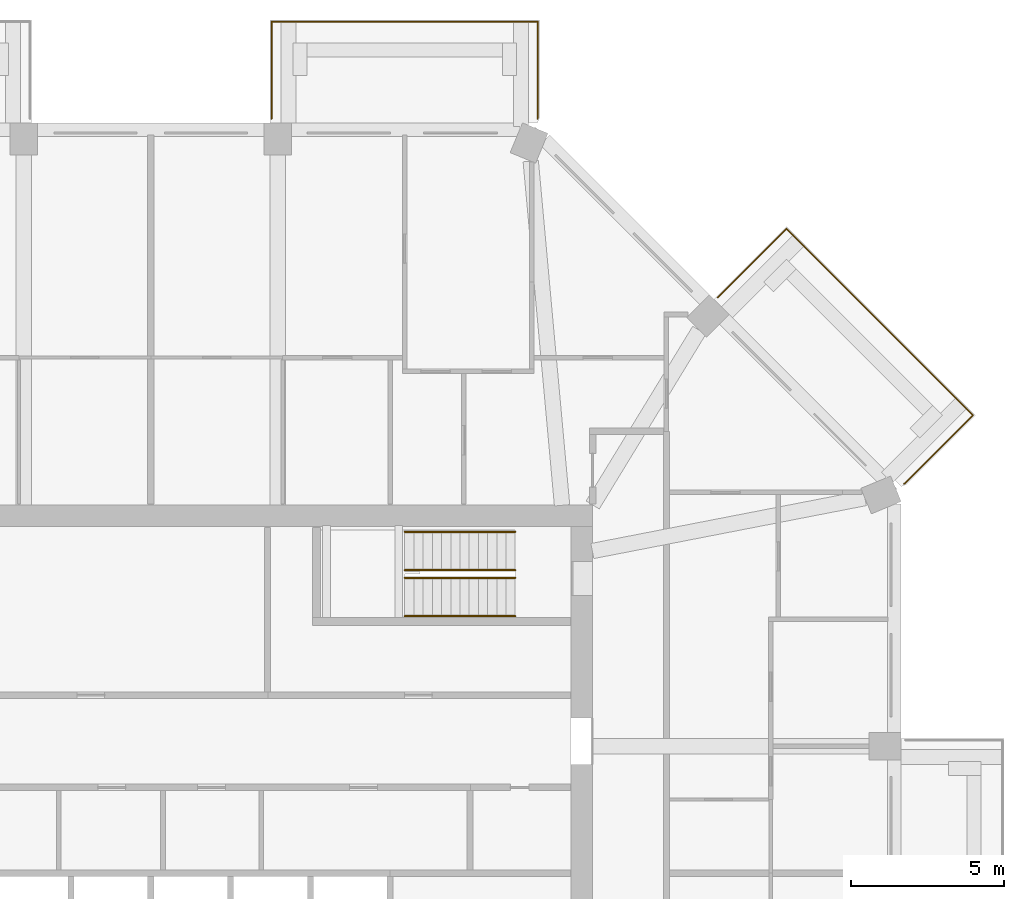
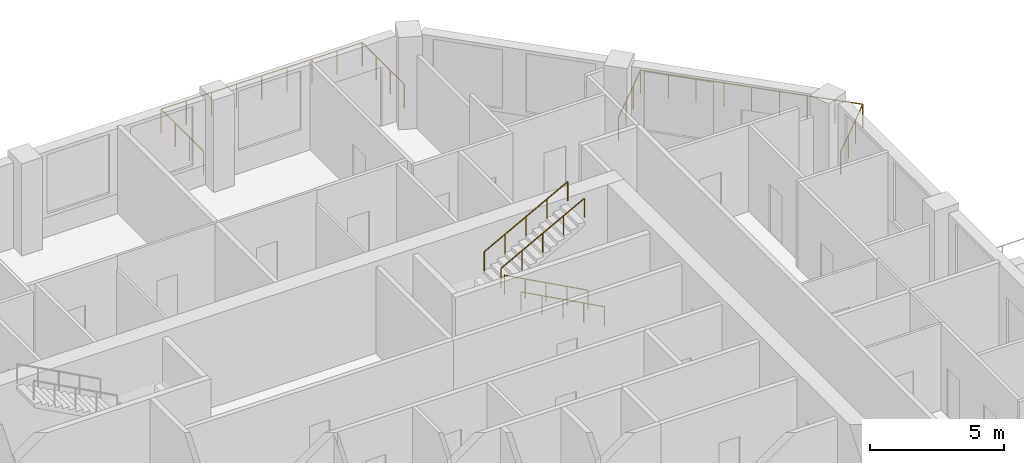
# One storey, part 12 of 12: 6 railings.
"""IFC4 building model written with IfcOpenShell, lengths in metres."""

from ifc_helpers import new_model, si_unit, direction, frame, origin, origin_2d, place, context, subcontext, project, spatial, circle, extrude, material, constituent, constituent_set, type_object, element, save


model = new_model("IFC4")

# Units and contexts
model_context = context("Model", 3, precision=1e-05, world=origin(), true_north=direction((0.0, 1.0)))
body_context = subcontext(model_context, "Body", "Model", "MODEL_VIEW")
ifc_project = project(units=[si_unit("LENGTHUNIT", "METRE"), si_unit("AREAUNIT", "SQUARE_METRE"), si_unit("VOLUMEUNIT", "CUBIC_METRE"), si_unit("PLANEANGLEUNIT", "RADIAN"), si_unit("MASSUNIT", "GRAM", prefix="KILO")], contexts=[model_context])

# Site, building, storey
site_placement = place(None, origin())
site = spatial("IfcSite", under=ifc_project, at=site_placement, CompositionType="ELEMENT")
building_placement = place(site_placement, origin())
building = spatial("IfcBuilding", under=site, at=building_placement, Name="Msitu Wima Residences", CompositionType="ELEMENT")
storey_placement = place(building_placement, frame((0.0, 0.0, 179.10009765625)))
storey = spatial("IfcBuildingStorey", under=building, at=storey_placement, Name="L41", CompositionType="ELEMENT", Elevation=179.10009765625)

# Railings
ifc_material_1 = material(Name="Steel S355", Category="steel")
ifc_constituent_1 = constituent(ifc_material_1, Name="Steel S355")
ifc_material_2 = material(Name="Weathering patina")
ifc_constituent_2 = constituent(ifc_material_2, Name="Weathering patina")
ifc_constituent_set_1 = constituent_set(constituents=[ifc_constituent_1, ifc_constituent_2], Name="Steel S355")
railing_type_1 = type_object("IfcRailingType", Name="Balcony guard GR1100", PredefinedType="GUARDRAIL", material=ifc_constituent_set_1)
railing_1_placement = place(storey_placement, frame((18.474609375, 18.75732421875, 0.0)))
element("IfcRailing", 1, at=railing_1_placement, inside=storey, type_object=railing_type_1, Name="Balcony guard NE0 L41", PredefinedType="GUARDRAIL", context=body_context, shape_type="SweptSolid", body=[
    extrude(circle(Radius=0.02392578125, at=origin_2d()), frame((0.0, 0.0, 1.076171875), z_axis=(0.707068272989, 0.707145287287, 0.0), x_axis=(-0.707145287287, 0.707068272989, 0.0)), (0.0, 0.0, 1.0), 3.170166015625),
    extrude(circle(Radius=0.02392578125, at=origin_2d()), frame((2.241455078125, 2.24169921875, 1.076171875), z_axis=(0.707106781187, -0.707106781187, 0.0), x_axis=(0.707106781187, 0.707106781187, 0.0)), (0.0, 0.0, 1.0), 8.593994140625),
    extrude(circle(Radius=0.02392578125, at=origin_2d()), frame((8.318359375, -3.835205078125, 1.076171875), z_axis=(-0.707067861805, -0.707145698426, 0.0), x_axis=(0.707145698426, -0.707067861805, 0.0)), (0.0, 0.0, 1.0), 3.136474609375),
    extrude(circle(Radius=0.02392578125, at=origin_2d()), frame((6.1005859375, -6.05322265625, 1.076171875), z_axis=(-0.923276184907, -0.384136806859, 0.0), x_axis=(0.384136806859, -0.923276184907, 0.0)), (0.0, 0.0, 1.0), 0.0361328125),
    extrude(circle(Radius=0.02099609375, at=origin_2d()), origin(), (0.0, 0.0, 1.0), 1.052001953125),
    extrude(circle(Radius=0.02099609375, at=origin_2d()), frame((0.7470703125, 0.747314453125, 0.0)), (0.0, 0.0, 1.0), 1.052001953125),
    extrude(circle(Radius=0.02099609375, at=origin_2d()), frame((1.494384765625, 1.494384765625, 0.0)), (0.0, 0.0, 1.0), 1.052001953125),
    extrude(circle(Radius=0.02099609375, at=origin_2d()), frame((2.241455078125, 2.24169921875, 0.0)), (0.0, 0.0, 1.0), 1.052001953125),
    extrude(circle(Radius=0.02099609375, at=origin_2d()), frame((3.0009765625, 1.482177734375, 0.0)), (0.0, 0.0, 1.0), 1.052001953125),
    extrude(circle(Radius=0.02099609375, at=origin_2d()), frame((3.7607421875, 0.722412109375, 0.0)), (0.0, 0.0, 1.0), 1.052001953125),
    extrude(circle(Radius=0.02099609375, at=origin_2d()), frame((4.520263671875, -0.037109375, 0.0)), (0.0, 0.0, 1.0), 1.052001953125),
    extrude(circle(Radius=0.02099609375, at=origin_2d()), frame((5.27978515625, -0.796875, 0.0)), (0.0, 0.0, 1.0), 1.052001953125),
    extrude(circle(Radius=0.02099609375, at=origin_2d()), frame((6.03955078125, -1.556396484375, 0.0)), (0.0, 0.0, 1.0), 1.052001953125),
    extrude(circle(Radius=0.02099609375, at=origin_2d()), frame((6.799072265625, -2.31591796875, 0.0)), (0.0, 0.0, 1.0), 1.052001953125),
    extrude(circle(Radius=0.02099609375, at=origin_2d()), frame((7.558837890625, -3.07568359375, 0.0)), (0.0, 0.0, 1.0), 1.052001953125),
    extrude(circle(Radius=0.02099609375, at=origin_2d()), frame((8.318359375, -3.835205078125, 0.0)), (0.0, 0.0, 1.0), 1.052001953125),
    extrude(circle(Radius=0.02099609375, at=origin_2d()), frame((7.5791015625, -4.574462890625, 0.0)), (0.0, 0.0, 1.0), 1.052001953125),
    extrude(circle(Radius=0.02099609375, at=origin_2d()), frame((6.83984375, -5.31396484375, 0.0)), (0.0, 0.0, 1.0), 1.052001953125),
    extrude(circle(Radius=0.02099609375, at=origin_2d()), frame((6.1005859375, -6.05322265625, 0.0)), (0.0, 0.0, 1.0), 1.052001953125),
    extrude(circle(Radius=0.02099609375, at=origin_2d()), frame((6.067138671875, -6.067138671875, 0.0)), (0.0, 0.0, 1.0), 1.052001953125),
])
railing_2_placement = place(storey_placement, frame((3.937255859375, 24.580078125, 0.0)))
element("IfcRailing", 2, at=railing_2_placement, inside=storey, type_object=railing_type_1, Name="Balcony guard N0 L41", PredefinedType="GUARDRAIL", context=body_context, shape_type="SweptSolid", body=[
    extrude(circle(Radius=0.02392578125, at=origin_2d()), frame((0.0, 0.0, 1.076171875), z_axis=(0.0, 1.0, 0.0), x_axis=(-1.0, 0.0, 0.0)), (0.0, 0.0, 1.0), 3.169921875),
    extrude(circle(Radius=0.02392578125, at=origin_2d()), frame((0.0, 3.169921875, 1.076171875), z_axis=(1.0, 0.0, 0.0), x_axis=(0.0, 1.0, 0.0)), (0.0, 0.0, 1.0), 8.674560546875),
    extrude(circle(Radius=0.02392578125, at=origin_2d()), frame((8.674560546875, 3.169921875, 1.076171875), z_axis=(0.0, -1.0, 0.0), x_axis=(1.0, 0.0, 0.0)), (0.0, 0.0, 1.0), 3.136474609375),
    extrude(circle(Radius=0.02392578125, at=origin_2d()), frame((8.674560546875, 0.033447265625, 1.076171875), z_axis=(-0.384136806859, -0.923276184907, 0.0), x_axis=(0.923276184907, -0.384136806859, 0.0)), (0.0, 0.0, 1.0), 0.0361328125),
    extrude(circle(Radius=0.02099609375, at=origin_2d()), origin(), (0.0, 0.0, 1.0), 1.052001953125),
    extrude(circle(Radius=0.02099609375, at=origin_2d()), frame((0.0, 1.056640625, 0.0)), (0.0, 0.0, 1.0), 1.052001953125),
    extrude(circle(Radius=0.02099609375, at=origin_2d()), frame((0.0, 2.11328125, 0.0)), (0.0, 0.0, 1.0), 1.052001953125),
    extrude(circle(Radius=0.02099609375, at=origin_2d()), frame((0.0, 3.169921875, 0.0)), (0.0, 0.0, 1.0), 1.052001953125),
    extrude(circle(Radius=0.02099609375, at=origin_2d()), frame((1.084228515625, 3.169921875, 0.0)), (0.0, 0.0, 1.0), 1.052001953125),
    extrude(circle(Radius=0.02099609375, at=origin_2d()), frame((2.168701171875, 3.169921875, 0.0)), (0.0, 0.0, 1.0), 1.052001953125),
    extrude(circle(Radius=0.02099609375, at=origin_2d()), frame((3.2529296875, 3.169921875, 0.0)), (0.0, 0.0, 1.0), 1.052001953125),
    extrude(circle(Radius=0.02099609375, at=origin_2d()), frame((4.33740234375, 3.169921875, 0.0)), (0.0, 0.0, 1.0), 1.052001953125),
    extrude(circle(Radius=0.02099609375, at=origin_2d()), frame((5.421630859375, 3.169921875, 0.0)), (0.0, 0.0, 1.0), 1.052001953125),
    extrude(circle(Radius=0.02099609375, at=origin_2d()), frame((6.505859375, 3.169921875, 0.0)), (0.0, 0.0, 1.0), 1.052001953125),
    extrude(circle(Radius=0.02099609375, at=origin_2d()), frame((7.59033203125, 3.169921875, 0.0)), (0.0, 0.0, 1.0), 1.052001953125),
    extrude(circle(Radius=0.02099609375, at=origin_2d()), frame((8.674560546875, 3.169921875, 0.0)), (0.0, 0.0, 1.0), 1.052001953125),
    extrude(circle(Radius=0.02099609375, at=origin_2d()), frame((8.674560546875, 2.12451171875, 0.0)), (0.0, 0.0, 1.0), 1.052001953125),
    extrude(circle(Radius=0.02099609375, at=origin_2d()), frame((8.674560546875, 1.078857421875, 0.0)), (0.0, 0.0, 1.0), 1.052001953125),
    extrude(circle(Radius=0.02099609375, at=origin_2d()), frame((8.674560546875, 0.033447265625, 0.0)), (0.0, 0.0, 1.0), 1.052001953125),
    extrude(circle(Radius=0.02099609375, at=origin_2d()), frame((8.66064453125, 0.0, 0.0)), (0.0, 0.0, 1.0), 1.052001953125),
])
ifc_constituent_3 = constituent(ifc_material_1, Name="Steel S355")
ifc_material_3 = material(Name="Black powder coating")
ifc_constituent_4 = constituent(ifc_material_3, Name="Black powder coating")
ifc_constituent_set_2 = constituent_set(constituents=[ifc_constituent_3, ifc_constituent_4], Name="Steel S355")
railing_type_2 = type_object("IfcRailingType", Name="Stair handrail HR1", PredefinedType="HANDRAIL", material=ifc_constituent_set_2)
for number, where, name in (
    (3, (11.875, 8.375, 0.161376953125), "Stair 3 handrail"),
    (4, (11.875, 9.625, 0.161376953125), "Stair 3 handrail"),
):
    element("IfcRailing", number, at=place(storey_placement, frame(where)), inside=storey, type_object=railing_type_2, Name=name, PredefinedType="HANDRAIL", context=body_context, shape_type="SweptSolid", body=[
        extrude(circle(Radius=0.02392578125, at=origin_2d()), frame((0.0, 0.0, 0.8759765625), z_axis=(-0.880474934443, 0.0, 0.474092701714), x_axis=(0.0, -1.0, 0.0)), (0.0, 0.0, 1.0), 4.0888671875),
        extrude(circle(Radius=0.02099609375, at=origin_2d()), origin(), (0.0, 0.0, 1.0), 0.851806640625),
        extrude(circle(Radius=0.02099609375, at=origin_2d()), frame((-0.89990234375, 0.0, 0.484619140625)), (0.0, 0.0, 1.0), 0.851806640625),
        extrude(circle(Radius=0.02099609375, at=origin_2d()), frame((-1.800048828125, 0.0, 0.96923828125)), (0.0, 0.0, 1.0), 0.851806640625),
        extrude(circle(Radius=0.02099609375, at=origin_2d()), frame((-2.7001953125, 0.0, 1.453857421875)), (0.0, 0.0, 1.0), 0.851806640625),
        extrude(circle(Radius=0.02099609375, at=origin_2d()), frame((-3.60009765625, 0.0, 1.9384765625)), (0.0, 0.0, 1.0), 0.851806640625),
    ])
for number, where, name in (
    (5, (8.27490234375, 9.875, 2.261474609375), "Stair 3 handrail"),
    (6, (8.27490234375, 11.125, 2.261474609375), "Stair 3 handrail"),
):
    element("IfcRailing", number, at=place(storey_placement, frame(where)), inside=storey, type_object=railing_type_2, Name=name, PredefinedType="HANDRAIL", context=body_context, shape_type="SweptSolid", body=[
        extrude(circle(Radius=0.02392578125, at=origin_2d()), frame((0.0, 0.0, 0.8759765625), z_axis=(0.880474934443, 0.0, 0.474092701714), x_axis=(0.0, 1.0, 0.0)), (0.0, 0.0, 1.0), 4.0888671875),
        extrude(circle(Radius=0.02099609375, at=origin_2d()), origin(), (0.0, 0.0, 1.0), 0.851806640625),
        extrude(circle(Radius=0.02099609375, at=origin_2d()), frame((0.89990234375, 0.0, 0.484619140625)), (0.0, 0.0, 1.0), 0.851806640625),
        extrude(circle(Radius=0.02099609375, at=origin_2d()), frame((1.800048828125, 0.0, 0.96923828125)), (0.0, 0.0, 1.0), 0.851806640625),
        extrude(circle(Radius=0.02099609375, at=origin_2d()), frame((2.7001953125, 0.0, 1.453857421875)), (0.0, 0.0, 1.0), 0.851806640625),
        extrude(circle(Radius=0.02099609375, at=origin_2d()), frame((3.60009765625, 0.0, 1.9384765625)), (0.0, 0.0, 1.0), 0.851806640625),
    ])

save(model, "model.ifc")
